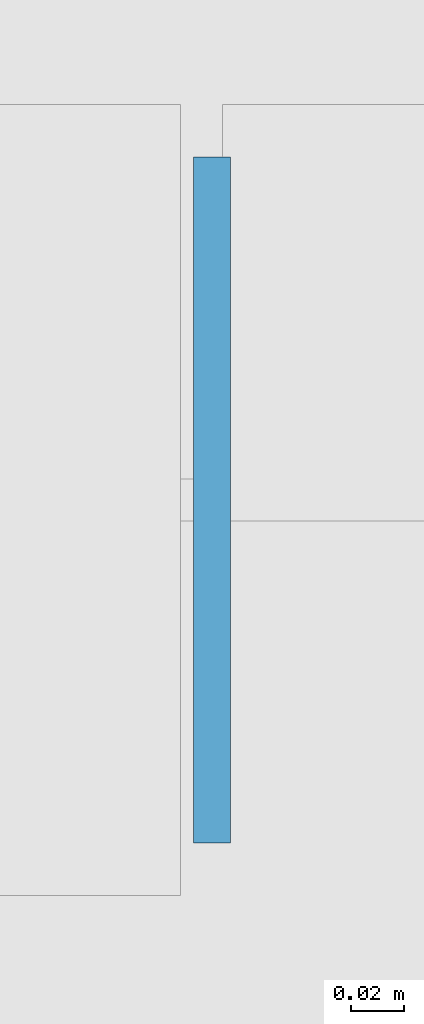
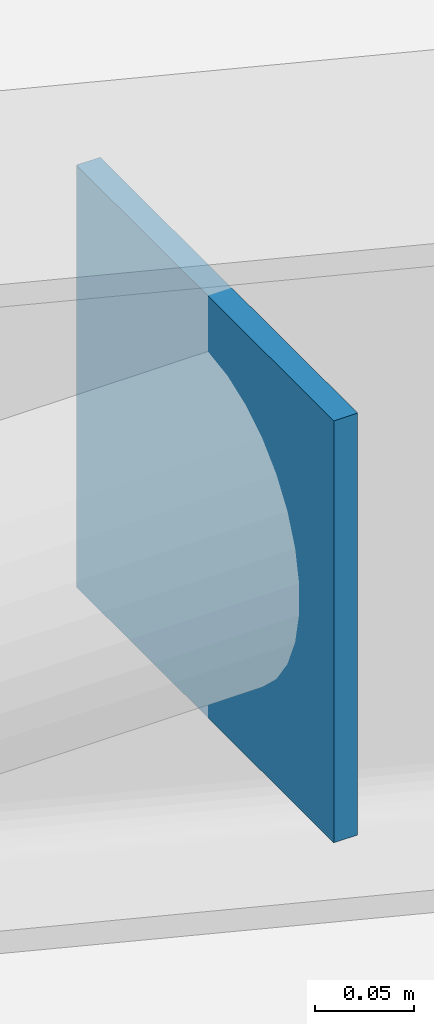
# One storey, part 23 of 44: 1 plate.
"""IFC4 building model written with IfcOpenShell, lengths in metres."""

from ifc_helpers import new_model, si_unit, direction, frame, origin, origin_2d, place, context, subcontext, project, spatial, rectangle, extrude, material, layer, layer_set, type_object, element, save


model = new_model("IFC4")

# Units and contexts
model_context = context("Model", 3, precision=1e-05, world=origin(), true_north=direction((0.0, 1.0)))
body_context = subcontext(model_context, "Body", "Model", "MODEL_VIEW")
ifc_project = project(units=[si_unit("LENGTHUNIT", "METRE"), si_unit("AREAUNIT", "SQUARE_METRE"), si_unit("VOLUMEUNIT", "CUBIC_METRE"), si_unit("PLANEANGLEUNIT", "RADIAN"), si_unit("MASSUNIT", "GRAM", prefix="KILO")], contexts=[model_context])

# Site, building, storey
site_placement = place(None, origin())
site = spatial("IfcSite", under=ifc_project, at=site_placement, CompositionType="ELEMENT")
building_placement = place(site_placement, origin())
building = spatial("IfcBuilding", under=site, at=building_placement, Name="Narikvali Park Central Library", CompositionType="ELEMENT")
storey_placement = place(building_placement, frame((0.0, 0.0, 22.800048828125)))
storey = spatial("IfcBuildingStorey", under=building, at=storey_placement, Name="L05", CompositionType="ELEMENT", Elevation=22.800048828125)

# Plate
ifc_material = material(Name="Steel S355", Category="steel")
ifc_layer = layer(ifc_material, 0.013916015625, Name="Steel S355")
ifc_layer_set = layer_set([ifc_layer], Name="Steel S355")
plate_type = type_object("IfcPlateType", Name="Steel Hollow End Cap Plate 14", PredefinedType="SHEET", material=ifc_layer_set)
plate_placement = place(storey_placement, frame((50.404052734375, 64.800048828125, 1.669921875), z_axis=(0.0, 0.0, 1.0), x_axis=(1.0, 0.0, 0.0)))
element("IfcPlate", 1, at=plate_placement, inside=storey, type_object=plate_type, Name="Hollow Section Steel End Cap V4-CTCAP-E-1", PredefinedType="SHEET", context=body_context, shape_type="SweptSolid", body=[
    extrude(rectangle(XDim=0.013916015625, YDim=0.260009765625, at=origin_2d()), origin(), (0.0, 0.0, 1.0), 0.260009765625),
])

save(model, "model.ifc")
